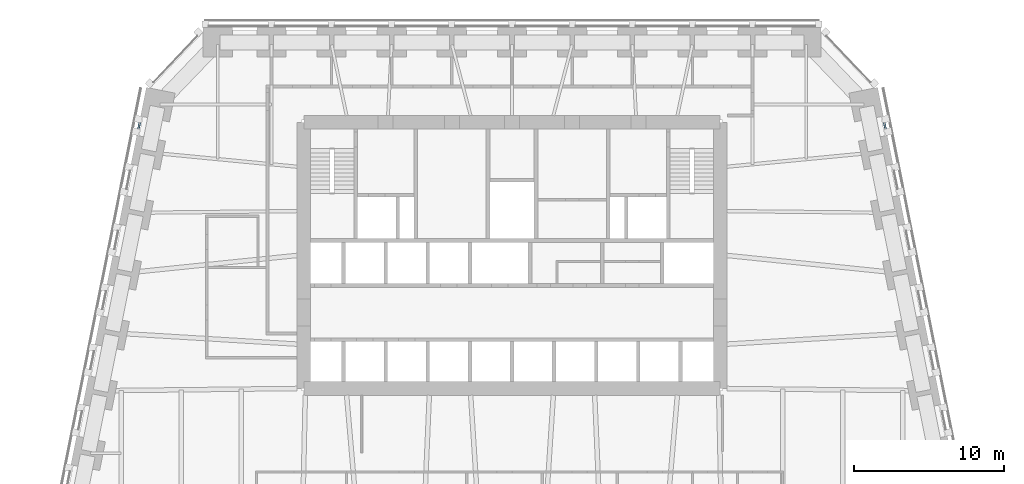
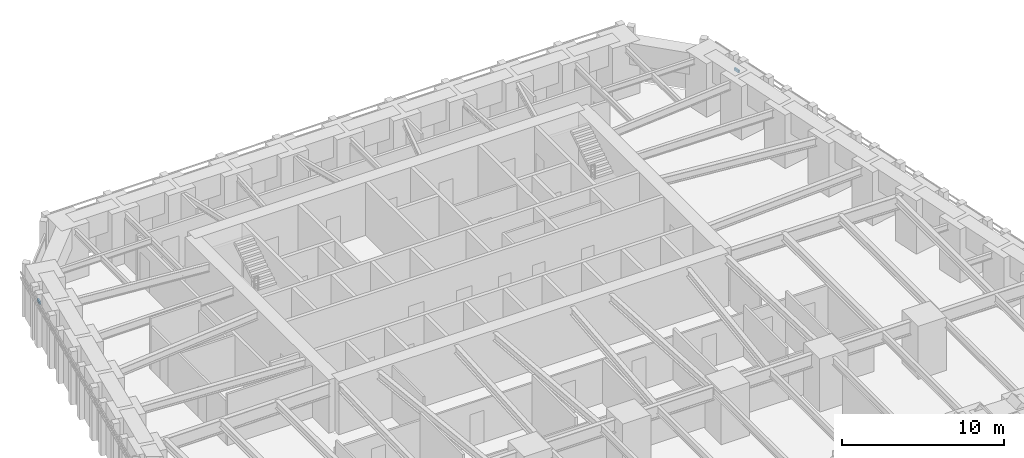
# One storey, part 6 of 16: 2 members, 2 elements without a shape of their own.
"""IFC4 building model written with IfcOpenShell, lengths in metres."""

from ifc_helpers import new_model, si_unit, direction, frame, origin, origin_2d, place, context, subcontext, project, spatial, rectangle, extrude, material, material_profile, profile_set, type_object, element, aggregate, save


model = new_model("IFC4")

# Units and contexts
model_context = context("Model", 3, precision=1e-05, world=origin(), true_north=direction((0.0, 1.0)))
body_context = subcontext(model_context, "Body", "Model", "MODEL_VIEW")
ifc_project = project(units=[si_unit("LENGTHUNIT", "METRE"), si_unit("AREAUNIT", "SQUARE_METRE"), si_unit("VOLUMEUNIT", "CUBIC_METRE"), si_unit("PLANEANGLEUNIT", "RADIAN"), si_unit("MASSUNIT", "GRAM", prefix="KILO")], contexts=[model_context])

# Site, building, storey
site_placement = place(None, origin())
site = spatial("IfcSite", under=ifc_project, at=site_placement, CompositionType="ELEMENT")
building_placement = place(site_placement, origin())
building = spatial("IfcBuilding", under=site, at=building_placement, Name="Isbrekke Arena Tower", CompositionType="ELEMENT")
storey_placement = place(building_placement, frame((0.0, 0.0, 32.0)))
storey = spatial("IfcBuildingStorey", under=building, at=storey_placement, Name="L05", CompositionType="ELEMENT", Elevation=32.0)

# Curtain wall, member
ifc_material_1 = material(Name="Glazed aluminium curtain wall", Category="aluminium")
curtain_wall_type = type_object("IfcCurtainWallType", Name="CWL TOWER CURTAIN WALL LOW ZONE", PredefinedType="USERDEFINED", material=ifc_material_1)
curtain_wall_1_placement = place(storey_placement, origin())
curtain_wall_1 = element("IfcCurtainWall", 1, at=curtain_wall_1_placement, inside=storey, type_object=curtain_wall_type, Name="CWL curtain wall L05-E19", ObjectType="TOWER CURTAIN WALL LOW ZONE", PredefinedType="USERDEFINED")
ifc_material_2 = material(Name="Aluminium transom", Category="aluminium")
ifc_material_profile = material_profile(ifc_material_2, rectangle(XDim=0.1201171875, YDim=0.199951171875, at=origin_2d()), Name="TRANSOM 120X200")
ifc_profile_set = profile_set([ifc_material_profile], Name="Aluminium transom")
member_type = type_object("IfcMemberType", Name="CWL-T TRANSOM 120 x 200", PredefinedType="USERDEFINED", material=ifc_profile_set)
member_1_placement = place(storey_placement, frame((24.843017578125, 23.421875, 3.0), z_axis=(-0.196000512897, 0.98060379305, 0.0), x_axis=(-0.98060379305, -0.196000512897, 0.0)))
member_1 = element("IfcMember", 2, at=member_1_placement, type_object=member_type, Name="CWL-T transom 1", ObjectType="TRANSOM", PredefinedType="USERDEFINED", context=body_context, shape_type="SweptSolid", body=[
    extrude(rectangle(XDim=0.1201171875, YDim=0.199951171875, at=origin_2d()), origin(), (0.0, 0.0, 1.0), 0.406005859375),
])
aggregate(curtain_wall_1, [member_1])

curtain_wall_2_placement = place(storey_placement, origin())
curtain_wall_2 = element("IfcCurtainWall", 3, at=curtain_wall_2_placement, inside=storey, type_object=curtain_wall_type, Name="CWL curtain wall L05-W", ObjectType="TOWER CURTAIN WALL LOW ZONE", PredefinedType="USERDEFINED")
member_2_placement = place(storey_placement, frame((-24.763427734375, 23.820068359375, 3.0), z_axis=(-0.196000512897, -0.98060379305, 0.0), x_axis=(0.98060379305, -0.196000512897, 0.0)))
member_2 = element("IfcMember", 4, at=member_2_placement, type_object=member_type, Name="CWL-T transom 1", ObjectType="TRANSOM", PredefinedType="USERDEFINED", context=body_context, shape_type="SweptSolid", body=[
    extrude(rectangle(XDim=0.1201171875, YDim=0.199951171875, at=origin_2d()), origin(), (0.0, 0.0, 1.0), 0.406005859375),
])
aggregate(curtain_wall_2, [member_2])

save(model, "model.ifc")
